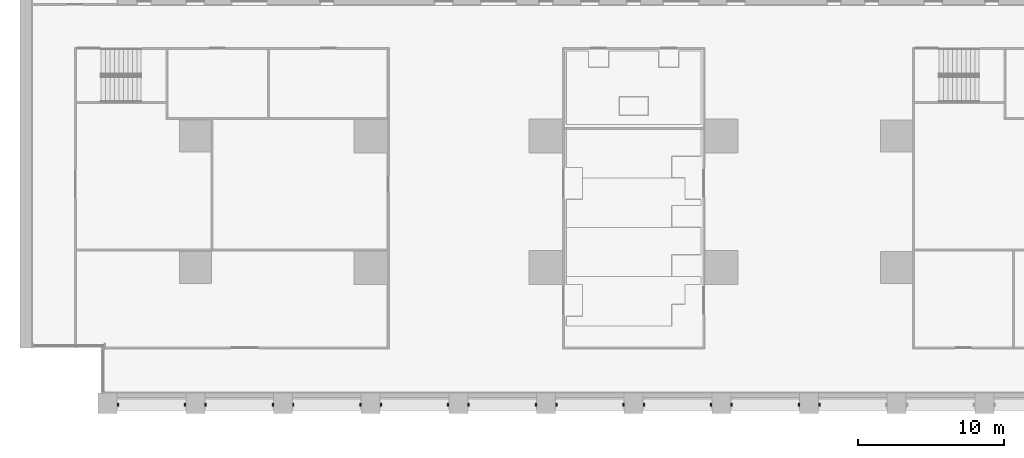
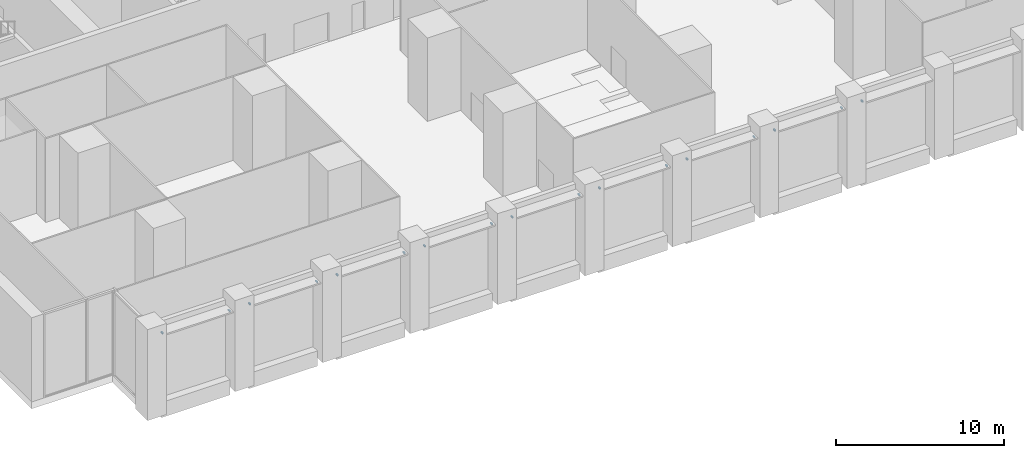
# One storey, part 14 of 18: 17 discrete accessories.
"""IFC4 building model written with IfcOpenShell, lengths in metres."""

import ifcopenshell
import ifcopenshell.guid

model = None  # the IFC model being written
_history = None  # IfcOwnerHistory: only IFC2X3 demands one
_inside = {}  # id of a spatial element -> (the spatial element, [elements in it])
_under = {}  # id of a project, library or spatial element -> (it, [spatial elements below it])
_declared = {}  # id of a project -> (the project, [libraries it declares])
_typed = {}  # id of a type object -> (the type object, [elements of that type])
_made_of = {}  # id of a material, layer set ... -> (it, [elements and type objects made of it])


def new_model(schema):
    """Start an empty IFC model of exactly this schema.

    Asked for "IFC4X3", IfcOpenShell would pick the latest addendum, in which some entities
    have other attributes; the version numbers below select the first issue.
    IFC2X3 requires an IfcOwnerHistory on every rooted entity: one is made here for all.
    """
    global model, _history
    if schema == "IFC4X3":
        model = ifcopenshell.file(schema_version=(4, 3, 0, 0))
    else:
        model = ifcopenshell.file(schema=schema)
    _inside.clear()
    _under.clear()
    _declared.clear()
    _typed.clear()
    _made_of.clear()
    _history = None
    if model.schema == "IFC2X3":
        org = make("IfcOrganization", Name="unknown")
        user = make(
            "IfcPersonAndOrganization",
            ThePerson=make("IfcPerson", FamilyName="unknown"),
            TheOrganization=org,
        )
        app = make(
            "IfcApplication",
            ApplicationDeveloper=org,
            Version="unknown",
            ApplicationFullName="unknown",
            ApplicationIdentifier="unknown",
        )
        _history = make(
            "IfcOwnerHistory",
            OwningUser=user,
            OwningApplication=app,
            ChangeAction="ADDED",
            CreationDate=0,
        )
    return model


def make(cls, **values):
    """One entity of the class cls with the attributes given. An attribute that is None is left unset."""
    return model.create_entity(
        cls, **{name: value for name, value in values.items() if value is not None}
    )


def rooted(cls, **values):
    """An entity with a GlobalId (a new one), such as an element, a storey or a relation."""
    return make(cls, GlobalId=ifcopenshell.guid.new(), OwnerHistory=_history, **values)


def si_unit(unit_type, name, prefix=None):
    """IfcSIUnit, for example si_unit("LENGTHUNIT", "METRE", prefix="MILLI")."""
    return make("IfcSIUnit", UnitType=unit_type, Prefix=prefix, Name=name)


def assignment(units):
    """IfcUnitAssignment: the units of a project."""
    return None if units is None else make("IfcUnitAssignment", Units=units)


def point(xyz):
    """IfcCartesianPoint."""
    return None if xyz is None else make("IfcCartesianPoint", Coordinates=xyz)


def direction(xyz):
    """IfcDirection."""
    return None if xyz is None else make("IfcDirection", DirectionRatios=xyz)


def frame(location, z_axis=None, x_axis=None):
    """IfcAxis2Placement3D, a coordinate frame: its origin and axes. An axis left out is left unset."""
    return make(
        "IfcAxis2Placement3D",
        Location=point(location),
        Axis=direction(z_axis),
        RefDirection=direction(x_axis),
    )


def frame_2d(location, x_axis=None):
    """IfcAxis2Placement2D, a coordinate frame in the plane: its origin and x axis."""
    return make(
        "IfcAxis2Placement2D", Location=point(location), RefDirection=direction(x_axis)
    )


def origin():
    """The frame at (0, 0, 0) with its axes left unset."""
    return frame((0.0, 0.0, 0.0))


def origin_2d():
    """The frame at (0, 0) in the plane with its x axis left unset."""
    return frame_2d((0.0, 0.0))


def place(relative_to, where):
    """IfcLocalPlacement: puts the frame where relative to a parent placement (None: the world)."""
    return make(
        "IfcLocalPlacement", PlacementRelTo=relative_to, RelativePlacement=where
    )


def context(
    kind, dimensions, precision=None, world=None, true_north=None, identifier=None
):
    """IfcGeometricRepresentationContext, for example the 3D "Model" context."""
    return make(
        "IfcGeometricRepresentationContext",
        ContextIdentifier=identifier,
        ContextType=kind,
        CoordinateSpaceDimension=dimensions,
        Precision=precision,
        WorldCoordinateSystem=world,
        TrueNorth=true_north,
    )


def subcontext(parent, identifier, kind, view, scale=None):
    """IfcGeometricRepresentationSubContext, for example "Body" below "Model"."""
    return make(
        "IfcGeometricRepresentationSubContext",
        ContextIdentifier=identifier,
        ContextType=kind,
        ParentContext=parent,
        TargetScale=scale,
        TargetView=view,
    )


def project(units=None, contexts=None):
    """IfcProject with its units and contexts."""
    return rooted(
        "IfcProject",
        Name="project",
        RepresentationContexts=contexts,
        UnitsInContext=assignment(units),
    )


def spatial(cls, under=None, at=None, **own):
    """A site, building, storey or space (cls), placed at a placement, below another one or the project."""
    s = rooted(cls, ObjectPlacement=at, **own)
    if under is not None:
        _under.setdefault(under.id(), (under, []))[1].append(s)
    return s


def profile(cls, at=None, kind="AREA", **sizes):
    """A parametric profile (cls). Its sizes go by their IFC names, for example OverallWidth=200.0."""
    return make(cls, ProfileType=kind, Position=at, **sizes)


def rectangle(**sizes):
    """IfcRectangleProfileDef."""
    return profile("IfcRectangleProfileDef", **sizes)


def extrude(swept, where, along, depth):
    """IfcExtrudedAreaSolid: the profile swept, set in the frame where, extruded along a direction by depth."""
    return make(
        "IfcExtrudedAreaSolid",
        SweptArea=swept,
        Position=where,
        ExtrudedDirection=direction(along),
        Depth=depth,
    )


def shape(context_of_items, identifier, shape_type, items):
    """IfcShapeRepresentation: the items that make up one representation, for example the "Body"."""
    return make(
        "IfcShapeRepresentation",
        ContextOfItems=context_of_items,
        RepresentationIdentifier=identifier,
        RepresentationType=shape_type,
        Items=items,
    )


def made_of(thing, what):
    """Note that an element or type object is made of a material, layer set ...; save() writes the relation."""
    if what is not None:
        _made_of.setdefault(what.id(), (what, []))[1].append(thing)
    return thing


def element(
    cls,
    number,
    at=None,
    inside=None,
    cuts=None,
    type_object=None,
    material=None,
    context=None,
    identifier="Body",
    shape_type=None,
    held_by="IfcProductDefinitionShape",
    body=None,
    shapes=None,
    **own,
):
    """One element of the class cls, such as IfcWall. Its Tag is "e" and its number.

    at: its placement. inside: the storey or other place that contains it. cuts: it is an
    opening in that element (IfcRelVoidsElement). A single representation is given by context,
    identifier, shape_type and body (its items); several are given by shapes. held_by: the class
    of the entity that holds the representations. save() writes the other relations.
    """
    e = rooted(cls, Tag="e%d" % number, ObjectPlacement=at, **own)
    if body is not None:
        shapes = [shape(context, identifier, shape_type, body)]
    if shapes is not None:
        e.Representation = make(held_by, Representations=shapes)
    if inside is not None:
        _inside.setdefault(inside.id(), (inside, []))[1].append(e)
    if cuts is not None:
        rooted(
            "IfcRelVoidsElement", RelatingBuildingElement=cuts, RelatedOpeningElement=e
        )
    if type_object is not None:
        _typed.setdefault(type_object.id(), (type_object, []))[1].append(e)
    return made_of(e, material)


def aggregate(whole, parts):
    """IfcRelAggregates: a whole, such as a stair, and the parts it consists of."""
    return rooted("IfcRelAggregates", RelatingObject=whole, RelatedObjects=parts)


def save(model, path):
    """Write the relations noted so far, then the file.

    IfcRelAggregates (storeys below a building ...), IfcRelContainedInSpatialStructure (elements
    in a storey), IfcRelDefinesByType, IfcRelAssociatesMaterial and IfcRelDeclares: one each for
    every whole, place, type object, material and project.
    """
    for whole, parts in _under.values():
        aggregate(whole, parts)
    for where, things in _inside.values():
        rooted(
            "IfcRelContainedInSpatialStructure",
            RelatedElements=things,
            RelatingStructure=where,
        )
    for kind, things in _typed.values():
        rooted("IfcRelDefinesByType", RelatedObjects=things, RelatingType=kind)
    for what, things in _made_of.values():
        rooted("IfcRelAssociatesMaterial", RelatedObjects=things, RelatingMaterial=what)
    for by, libraries in _declared.values():
        rooted("IfcRelDeclares", RelatingContext=by, RelatedDefinitions=libraries)
    model.write(path)


model = new_model("IFC4")

# Units and contexts
model_context = context("Model", 3, precision=1e-05, world=origin(), true_north=direction((0.0, 1.0)))
body_context = subcontext(model_context, "Body", "Model", "MODEL_VIEW")
ifc_project = project(units=[si_unit("LENGTHUNIT", "METRE"), si_unit("AREAUNIT", "SQUARE_METRE"), si_unit("VOLUMEUNIT", "CUBIC_METRE"), si_unit("PLANEANGLEUNIT", "RADIAN"), si_unit("MASSUNIT", "GRAM", prefix="KILO")], contexts=[model_context])

# Site, building, storey
site_placement = place(None, origin())
site = spatial("IfcSite", under=ifc_project, at=site_placement, CompositionType="ELEMENT")
building_placement = place(site_placement, origin())
building = spatial("IfcBuilding", under=site, at=building_placement, Name="Calvaro Tower", CompositionType="ELEMENT")
storey_placement = place(building_placement, frame((0.0, 0.0, 11.300048828125)))
storey = spatial("IfcBuildingStorey", under=building, at=storey_placement, Name="L02", CompositionType="ELEMENT", Elevation=11.300048828125)

# Discrete accessories
for number, where, z_axis, x_axis, name in (
    (1, (6.699951171875, 0.60009765625, 5.0), (0.0, 0.0, 1.0), (1.0, 0.0, 0.0), "Brise-soleil bracket"),
    (2, (11.300048828125, 0.60009765625, 5.0), (0.0, 0.0, 1.0), (1.0, 0.0, 0.0), "Brise-soleil bracket"),
    (3, (12.699951171875, 0.60009765625, 5.0), (0.0, 0.0, 1.0), (1.0, 0.0, 0.0), "Brise-soleil bracket"),
    (4, (17.300048828125, 0.60009765625, 5.0), (0.0, 0.0, 1.0), (1.0, 0.0, 0.0), "Brise-soleil bracket"),
    (5, (18.699951171875, 0.60009765625, 5.0), (0.0, 0.0, 1.0), (1.0, 0.0, 0.0), "Brise-soleil bracket"),
    (6, (23.300048828125, 0.60009765625, 5.0), (0.0, 0.0, 1.0), (1.0, 0.0, 0.0), "Brise-soleil bracket"),
    (7, (24.699951171875, 0.60009765625, 5.0), (0.0, 0.0, 1.0), (1.0, 0.0, 0.0), "Brise-soleil bracket"),
    (8, (29.300048828125, 0.60009765625, 5.0), (0.0, 0.0, 1.0), (1.0, 0.0, 0.0), "Brise-soleil bracket"),
    (9, (30.699951171875, 0.60009765625, 5.0), (0.0, 0.0, 1.0), (1.0, 0.0, 0.0), "Brise-soleil bracket"),
    (10, (35.300048828125, 0.60009765625, 5.0), (0.0, 0.0, 1.0), (1.0, 0.0, 0.0), "Brise-soleil bracket"),
    (11, (36.699951171875, 0.60009765625, 5.0), (0.0, 0.0, 1.0), (1.0, 0.0, 0.0), "Brise-soleil bracket"),
    (12, (41.300048828125, 0.60009765625, 5.0), (0.0, 0.0, 1.0), (1.0, 0.0, 0.0), "Brise-soleil bracket"),
    (13, (42.699951171875, 0.60009765625, 5.0), (0.0, 0.0, 1.0), (1.0, 0.0, 0.0), "Brise-soleil bracket"),
    (14, (47.300048828125, 0.60009765625, 5.0), (0.0, 0.0, 1.0), (1.0, 0.0, 0.0), "Brise-soleil bracket"),
    (15, (48.699951171875, 0.60009765625, 5.0), (0.0, 0.0, 1.0), (1.0, 0.0, 0.0), "Brise-soleil bracket"),
    (16, (53.300048828125, 0.60009765625, 5.0), (0.0, 0.0, 1.0), (1.0, 0.0, 0.0), "Brise-soleil bracket"),
    (17, (54.699951171875, 0.60009765625, 5.0), (0.0, 0.0, 1.0), (1.0, 0.0, 0.0), "Brise-soleil bracket"),
):
    element("IfcDiscreteAccessory", number, at=place(storey_placement, frame(where, z_axis=z_axis, x_axis=x_axis)), inside=storey, Name=name, PredefinedType="BRACKET", context=body_context, shape_type="SweptSolid", body=[
        extrude(rectangle(XDim=0.10009765625, YDim=0.199951171875, at=origin_2d()), origin(), (0.0, 0.0, 1.0), 0.10009765625),
    ])

save(model, "model.ifc")
